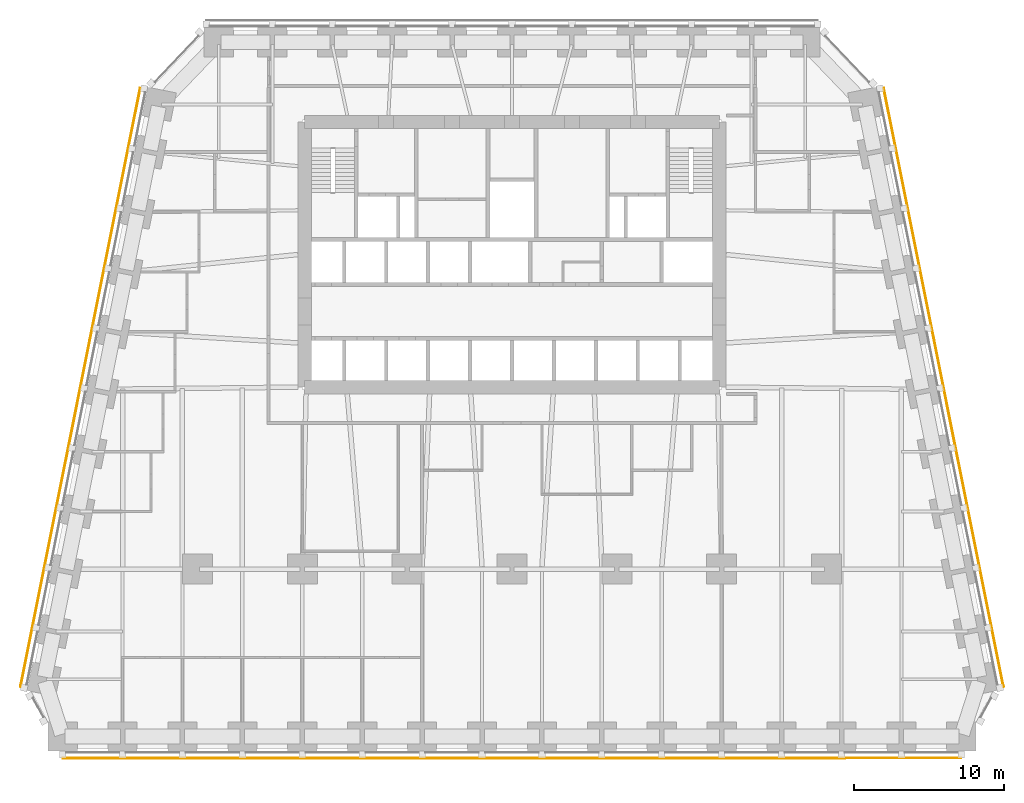
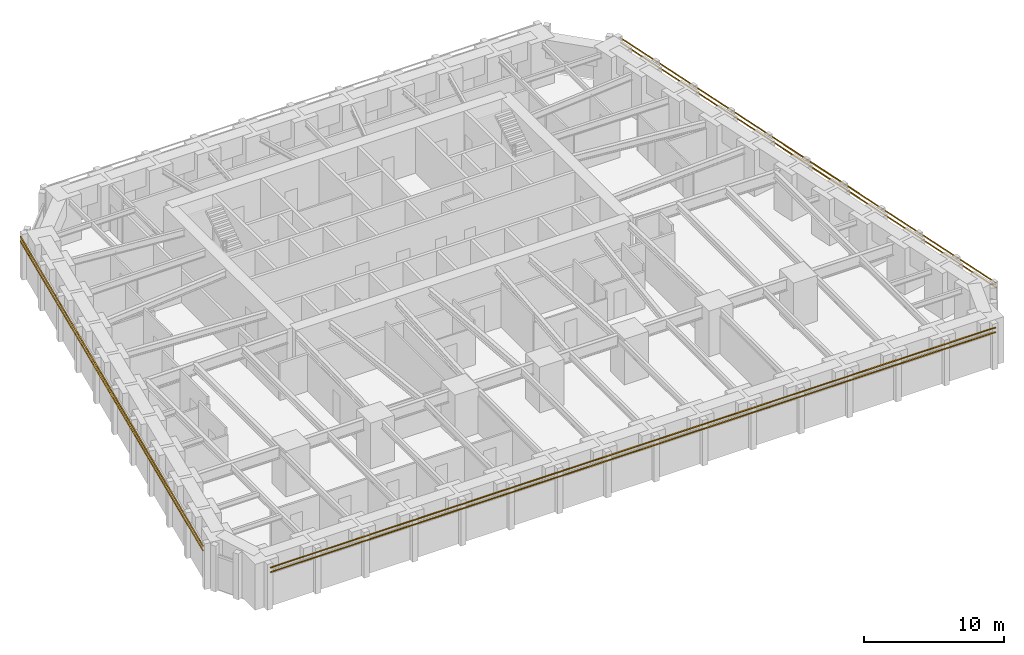
# One storey, part 9 of 10: 6 shading devices.
"""IFC4 building model written with IfcOpenShell, lengths in metres."""

from ifc_helpers import new_model, si_unit, direction, frame, origin, origin_2d, place, context, subcontext, project, spatial, rectangle, extrude, material, material_profile, profile_set, type_object, element, save


model = new_model("IFC4")

# Units and contexts
model_context = context("Model", 3, precision=1e-05, world=origin(), true_north=direction((0.0, 1.0)))
body_context = subcontext(model_context, "Body", "Model", "MODEL_VIEW")
ifc_project = project(units=[si_unit("LENGTHUNIT", "METRE"), si_unit("AREAUNIT", "SQUARE_METRE"), si_unit("VOLUMEUNIT", "CUBIC_METRE"), si_unit("PLANEANGLEUNIT", "RADIAN"), si_unit("MASSUNIT", "GRAM", prefix="KILO")], contexts=[model_context])

# Site, building, storey
site_placement = place(None, origin())
site = spatial("IfcSite", under=ifc_project, at=site_placement, CompositionType="ELEMENT")
building_placement = place(site_placement, origin())
building = spatial("IfcBuilding", under=site, at=building_placement, Name="Isbrekke Arena Tower", CompositionType="ELEMENT")
storey_placement = place(building_placement, frame((0.0, 0.0, 56.0)))
storey = spatial("IfcBuildingStorey", under=building, at=storey_placement, Name="L11", CompositionType="ELEMENT", Elevation=56.0)

# Shading devices
ifc_material = material(Name="Terracotta", Category="masonry")
ifc_material_profile = material_profile(ifc_material, rectangle(XDim=0.06005859375, YDim=0.06005859375, at=origin_2d()), Name="BAGUETTE 60X60")
ifc_profile_set = profile_set([ifc_material_profile], Name="Terracotta")
shading_device_type = type_object("IfcShadingDeviceType", Name="BG1 TERRACOTTA BAGUETTE 60 x 60", PredefinedType="USERDEFINED", material=ifc_profile_set)
for number, where, z_axis, x_axis, name in (
    (1, (-30.0, -18.6298828125, 3.280029296875), (1.0, 0.0, 0.0), (0.0, 1.0, 0.0), "BG1 terracotta baguette S1 L11"),
    (2, (-30.0, -18.6298828125, 3.679931640625), (1.0, 0.0, 0.0), (0.0, 1.0, 0.0), "BG1 terracotta baguette S2 L11"),
):
    element("IfcShadingDevice", number, at=place(storey_placement, frame(where, z_axis=z_axis, x_axis=x_axis)), inside=storey, type_object=shading_device_type, Name=name, ObjectType="TERRACOTTA BAGUETTE", PredefinedType="USERDEFINED", context=body_context, shape_type="SweptSolid", body=[
        extrude(rectangle(XDim=0.06005859375, YDim=0.06005859375, at=origin_2d()), origin(), (0.0, 0.0, 1.0), 60.0),
    ])
for number, where, z_axis, x_axis, name in (
    (3, (32.81787109375, -13.87646484375, 3.280029296875), (-0.196116135138, 0.980580675691, 0.0), (-0.980580675691, -0.196116135138, 0.0), "BG1 terracotta baguette E1 L11"),
    (4, (32.81787109375, -13.87646484375, 3.679931640625), (-0.196116135138, 0.980580675691, 0.0), (-0.980580675691, -0.196116135138, 0.0), "BG1 terracotta baguette E2 L11"),
    (5, (-24.81787109375, 26.12353515625, 3.280029296875), (-0.196116135138, -0.980580675691, 0.0), (0.980580675691, -0.196116135138, 0.0), "BG1 terracotta baguette W1 L11"),
    (6, (-24.81787109375, 26.12353515625, 3.679931640625), (-0.196116135138, -0.980580675691, 0.0), (0.980580675691, -0.196116135138, 0.0), "BG1 terracotta baguette W2 L11"),
):
    element("IfcShadingDevice", number, at=place(storey_placement, frame(where, z_axis=z_axis, x_axis=x_axis)), inside=storey, type_object=shading_device_type, Name=name, ObjectType="TERRACOTTA BAGUETTE", PredefinedType="USERDEFINED", context=body_context, shape_type="SweptSolid", body=[
        extrude(rectangle(XDim=0.06005859375, YDim=0.06005859375, at=origin_2d()), origin(), (0.0, 0.0, 1.0), 40.792236328125),
    ])

save(model, "model.ifc")
